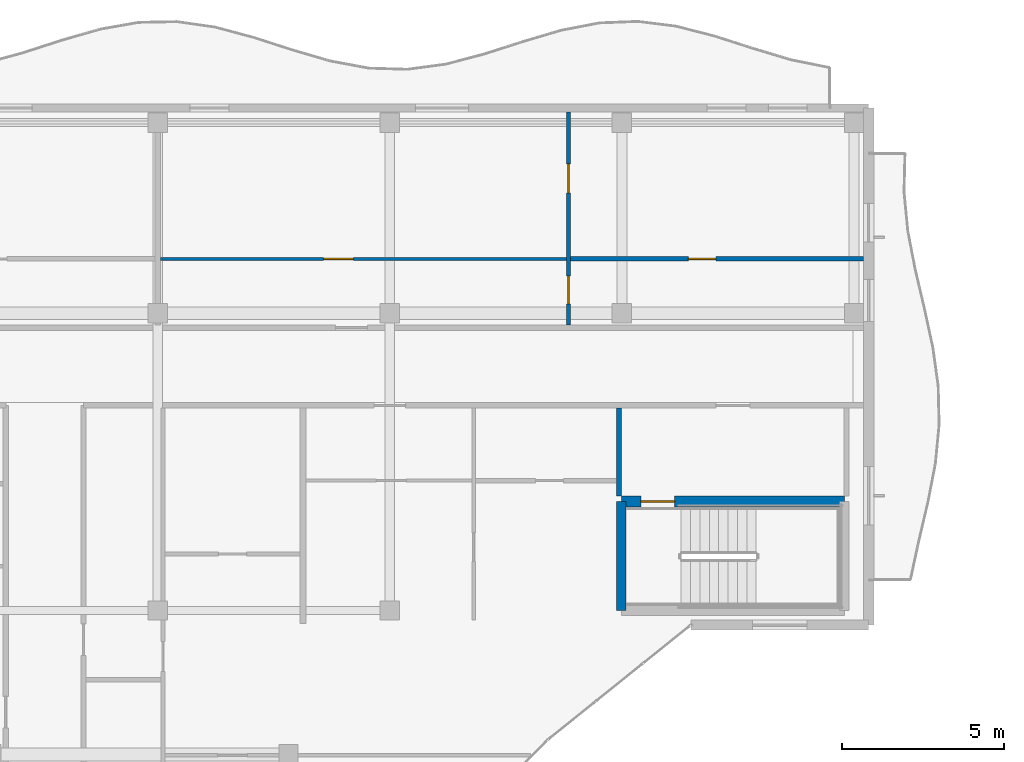
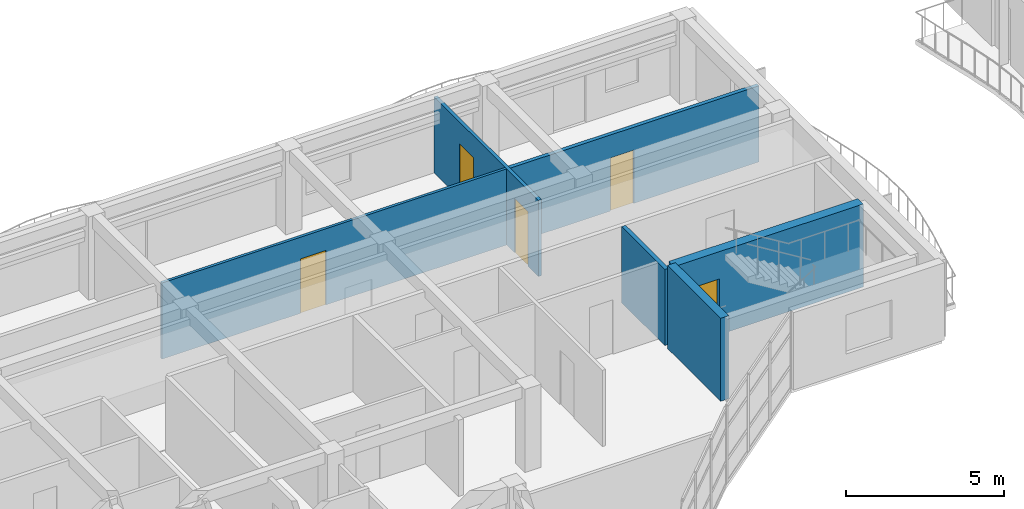
# One storey, part 41 of 71: 6 walls, 5 doors, 5 openings.
"""IFC4 building model written with IfcOpenShell, lengths in metres."""

import ifcopenshell
import ifcopenshell.guid

model = None  # the IFC model being written
_history = None  # IfcOwnerHistory: only IFC2X3 demands one
_inside = {}  # id of a spatial element -> (the spatial element, [elements in it])
_under = {}  # id of a project, library or spatial element -> (it, [spatial elements below it])
_declared = {}  # id of a project -> (the project, [libraries it declares])
_typed = {}  # id of a type object -> (the type object, [elements of that type])
_made_of = {}  # id of a material, layer set ... -> (it, [elements and type objects made of it])


def new_model(schema):
    """Start an empty IFC model of exactly this schema.

    Asked for "IFC4X3", IfcOpenShell would pick the latest addendum, in which some entities
    have other attributes; the version numbers below select the first issue.
    IFC2X3 requires an IfcOwnerHistory on every rooted entity: one is made here for all.
    """
    global model, _history
    if schema == "IFC4X3":
        model = ifcopenshell.file(schema_version=(4, 3, 0, 0))
    else:
        model = ifcopenshell.file(schema=schema)
    _inside.clear()
    _under.clear()
    _declared.clear()
    _typed.clear()
    _made_of.clear()
    _history = None
    if model.schema == "IFC2X3":
        org = make("IfcOrganization", Name="unknown")
        user = make(
            "IfcPersonAndOrganization",
            ThePerson=make("IfcPerson", FamilyName="unknown"),
            TheOrganization=org,
        )
        app = make(
            "IfcApplication",
            ApplicationDeveloper=org,
            Version="unknown",
            ApplicationFullName="unknown",
            ApplicationIdentifier="unknown",
        )
        _history = make(
            "IfcOwnerHistory",
            OwningUser=user,
            OwningApplication=app,
            ChangeAction="ADDED",
            CreationDate=0,
        )
    return model


def make(cls, **values):
    """One entity of the class cls with the attributes given. An attribute that is None is left unset."""
    return model.create_entity(
        cls, **{name: value for name, value in values.items() if value is not None}
    )


def rooted(cls, **values):
    """An entity with a GlobalId (a new one), such as an element, a storey or a relation."""
    return make(cls, GlobalId=ifcopenshell.guid.new(), OwnerHistory=_history, **values)


def si_unit(unit_type, name, prefix=None):
    """IfcSIUnit, for example si_unit("LENGTHUNIT", "METRE", prefix="MILLI")."""
    return make("IfcSIUnit", UnitType=unit_type, Prefix=prefix, Name=name)


def assignment(units):
    """IfcUnitAssignment: the units of a project."""
    return None if units is None else make("IfcUnitAssignment", Units=units)


def point(xyz):
    """IfcCartesianPoint."""
    return None if xyz is None else make("IfcCartesianPoint", Coordinates=xyz)


def direction(xyz):
    """IfcDirection."""
    return None if xyz is None else make("IfcDirection", DirectionRatios=xyz)


def frame(location, z_axis=None, x_axis=None):
    """IfcAxis2Placement3D, a coordinate frame: its origin and axes. An axis left out is left unset."""
    return make(
        "IfcAxis2Placement3D",
        Location=point(location),
        Axis=direction(z_axis),
        RefDirection=direction(x_axis),
    )


def frame_2d(location, x_axis=None):
    """IfcAxis2Placement2D, a coordinate frame in the plane: its origin and x axis."""
    return make(
        "IfcAxis2Placement2D", Location=point(location), RefDirection=direction(x_axis)
    )


def origin():
    """The frame at (0, 0, 0) with its axes left unset."""
    return frame((0.0, 0.0, 0.0))


def place(relative_to, where):
    """IfcLocalPlacement: puts the frame where relative to a parent placement (None: the world)."""
    return make(
        "IfcLocalPlacement", PlacementRelTo=relative_to, RelativePlacement=where
    )


def context(
    kind, dimensions, precision=None, world=None, true_north=None, identifier=None
):
    """IfcGeometricRepresentationContext, for example the 3D "Model" context."""
    return make(
        "IfcGeometricRepresentationContext",
        ContextIdentifier=identifier,
        ContextType=kind,
        CoordinateSpaceDimension=dimensions,
        Precision=precision,
        WorldCoordinateSystem=world,
        TrueNorth=true_north,
    )


def subcontext(parent, identifier, kind, view, scale=None):
    """IfcGeometricRepresentationSubContext, for example "Body" below "Model"."""
    return make(
        "IfcGeometricRepresentationSubContext",
        ContextIdentifier=identifier,
        ContextType=kind,
        ParentContext=parent,
        TargetScale=scale,
        TargetView=view,
    )


def project(units=None, contexts=None):
    """IfcProject with its units and contexts."""
    return rooted(
        "IfcProject",
        Name="project",
        RepresentationContexts=contexts,
        UnitsInContext=assignment(units),
    )


def spatial(cls, under=None, at=None, **own):
    """A site, building, storey or space (cls), placed at a placement, below another one or the project."""
    s = rooted(cls, ObjectPlacement=at, **own)
    if under is not None:
        _under.setdefault(under.id(), (under, []))[1].append(s)
    return s


def profile(cls, at=None, kind="AREA", **sizes):
    """A parametric profile (cls). Its sizes go by their IFC names, for example OverallWidth=200.0."""
    return make(cls, ProfileType=kind, Position=at, **sizes)


def rectangle(**sizes):
    """IfcRectangleProfileDef."""
    return profile("IfcRectangleProfileDef", **sizes)


def extrude(swept, where, along, depth):
    """IfcExtrudedAreaSolid: the profile swept, set in the frame where, extruded along a direction by depth."""
    return make(
        "IfcExtrudedAreaSolid",
        SweptArea=swept,
        Position=where,
        ExtrudedDirection=direction(along),
        Depth=depth,
    )


def shape(context_of_items, identifier, shape_type, items):
    """IfcShapeRepresentation: the items that make up one representation, for example the "Body"."""
    return make(
        "IfcShapeRepresentation",
        ContextOfItems=context_of_items,
        RepresentationIdentifier=identifier,
        RepresentationType=shape_type,
        Items=items,
    )


def material(Name=None, Category=None):
    """IfcMaterial."""
    return make("IfcMaterial", Name=Name, Category=Category)


def layer(
    of_material, thickness, ventilated=None, Name=None, Category=None, Priority=None
):
    """IfcMaterialLayer: one layer of a wall or slab, of a material (None: an air gap)."""
    return make(
        "IfcMaterialLayer",
        Material=of_material,
        LayerThickness=thickness,
        IsVentilated=ventilated,
        Name=Name,
        Category=Category,
        Priority=Priority,
    )


def layer_set(layers, Name=None):
    """IfcMaterialLayerSet."""
    return make("IfcMaterialLayerSet", MaterialLayers=layers, LayerSetName=Name)


def made_of(thing, what):
    """Note that an element or type object is made of a material, layer set ...; save() writes the relation."""
    if what is not None:
        _made_of.setdefault(what.id(), (what, []))[1].append(thing)
    return thing


def type_object(cls, material=None, **own):
    """A type object (cls), such as IfcWallType, which elements share."""
    return made_of(rooted(cls, **own), material)


def element(
    cls,
    number,
    at=None,
    inside=None,
    cuts=None,
    type_object=None,
    material=None,
    context=None,
    identifier="Body",
    shape_type=None,
    held_by="IfcProductDefinitionShape",
    body=None,
    shapes=None,
    **own,
):
    """One element of the class cls, such as IfcWall. Its Tag is "e" and its number.

    at: its placement. inside: the storey or other place that contains it. cuts: it is an
    opening in that element (IfcRelVoidsElement). A single representation is given by context,
    identifier, shape_type and body (its items); several are given by shapes. held_by: the class
    of the entity that holds the representations. save() writes the other relations.
    """
    e = rooted(cls, Tag="e%d" % number, ObjectPlacement=at, **own)
    if body is not None:
        shapes = [shape(context, identifier, shape_type, body)]
    if shapes is not None:
        e.Representation = make(held_by, Representations=shapes)
    if inside is not None:
        _inside.setdefault(inside.id(), (inside, []))[1].append(e)
    if cuts is not None:
        rooted(
            "IfcRelVoidsElement", RelatingBuildingElement=cuts, RelatedOpeningElement=e
        )
    if type_object is not None:
        _typed.setdefault(type_object.id(), (type_object, []))[1].append(e)
    return made_of(e, material)


def fill(opening, filler):
    """IfcRelFillsElement: the door or window that sits in an opening."""
    return rooted(
        "IfcRelFillsElement",
        RelatingOpeningElement=opening,
        RelatedBuildingElement=filler,
    )


def aggregate(whole, parts):
    """IfcRelAggregates: a whole, such as a stair, and the parts it consists of."""
    return rooted("IfcRelAggregates", RelatingObject=whole, RelatedObjects=parts)


def save(model, path):
    """Write the relations noted so far, then the file.

    IfcRelAggregates (storeys below a building ...), IfcRelContainedInSpatialStructure (elements
    in a storey), IfcRelDefinesByType, IfcRelAssociatesMaterial and IfcRelDeclares: one each for
    every whole, place, type object, material and project.
    """
    for whole, parts in _under.values():
        aggregate(whole, parts)
    for where, things in _inside.values():
        rooted(
            "IfcRelContainedInSpatialStructure",
            RelatedElements=things,
            RelatingStructure=where,
        )
    for kind, things in _typed.values():
        rooted("IfcRelDefinesByType", RelatedObjects=things, RelatingType=kind)
    for what, things in _made_of.values():
        rooted("IfcRelAssociatesMaterial", RelatedObjects=things, RelatingMaterial=what)
    for by, libraries in _declared.values():
        rooted("IfcRelDeclares", RelatingContext=by, RelatedDefinitions=libraries)
    model.write(path)


model = new_model("IFC4")

# Units and contexts
model_context = context("Model", 3, precision=1e-05, world=origin(), true_north=direction((0.0, 1.0)))
body_context = subcontext(model_context, "Body", "Model", "MODEL_VIEW")
ifc_project = project(units=[si_unit("LENGTHUNIT", "METRE"), si_unit("AREAUNIT", "SQUARE_METRE"), si_unit("VOLUMEUNIT", "CUBIC_METRE"), si_unit("PLANEANGLEUNIT", "RADIAN"), si_unit("MASSUNIT", "GRAM", prefix="KILO")], contexts=[model_context])

# Site, building, storey
site_placement = place(None, origin())
site = spatial("IfcSite", under=ifc_project, at=site_placement, CompositionType="ELEMENT")
building_placement = place(site_placement, origin())
building = spatial("IfcBuilding", under=site, at=building_placement, Name="Keldmere Railside Commons", CompositionType="ELEMENT")
storey_placement = place(building_placement, frame((0.0, 0.0, 20.159912109375)))
storey = spatial("IfcBuildingStorey", under=building, at=storey_placement, Name="L06", CompositionType="ELEMENT", Elevation=20.159912109375)

# Wall, openings, doors
ifc_material_1 = material(Name="Acoustic Gypsum Board Partition", Category="gypsum")
ifc_layer_1 = layer(ifc_material_1, 0.1201171875, Name="Apartment Interior Partition 120")
ifc_layer_set_1 = layer_set([ifc_layer_1], Name="Acoustic Gypsum Board Partition")
wall_type_1 = type_object("IfcWallType", Name="Apartment Interior Partition 120", PredefinedType="PARTITIONING", material=ifc_layer_set_1)
wall_1_placement = place(storey_placement, frame((128.2099609375, 109.280029296875, 0.0), z_axis=(0.0, 0.0, 1.0), x_axis=(0.0, 1.0, 0.0)))
wall_1 = element("IfcWall", 1, at=wall_1_placement, inside=storey, type_object=wall_type_1, Name="IW-4 IW-L06-1173", PredefinedType="PARTITIONING", context=body_context, shape_type="SweptSolid", body=[
    extrude(rectangle(XDim=6.590087890625, YDim=0.1201171875, at=frame_2d((3.294921875, 0.0))), origin(), (0.0, 0.0, 1.0), 2.93505859375),
])
opening_1_placement = place(wall_1_placement, frame((0.656005859375, 0.0, 0.0)))
opening_1 = element("IfcOpeningElement", 2, at=opening_1_placement, cuts=wall_1, Name="Opening ID-04", PredefinedType="OPENING", context=body_context, shape_type="SweptSolid", body=[
    extrude(rectangle(XDim=0.860107421875, YDim=2.10009765625, at=frame_2d((0.43017578125, 1.050048828125))), frame((0.0, 0.070068359375, 0.0), z_axis=(0.0, -1.0, 0.0), x_axis=(1.0, 0.0, 0.0)), (0.0, 0.0, 1.0), 0.14013671875),
])
opening_2_placement = place(wall_1_placement, frame((4.093017578125, 0.0, 0.0)))
opening_2 = element("IfcOpeningElement", 3, at=opening_2_placement, cuts=wall_1, Name="Opening ID-01", PredefinedType="OPENING", context=body_context, shape_type="SweptSolid", body=[
    extrude(rectangle(XDim=0.89990234375, YDim=2.10009765625, at=frame_2d((0.449951171875, 1.050048828125))), frame((0.0, 0.070068359375, 0.0), z_axis=(0.0, -1.0, 0.0), x_axis=(1.0, 0.0, 0.0)), (0.0, 0.0, 1.0), 0.14013671875),
])
ifc_material_2 = material(Name="Engineered Oak Timber", Category="wood")
door_type_1 = type_object("IfcDoorType", Name="Apartment Bathroom Door 860x2100", OperationType="NOTDEFINED", PredefinedType="DOOR", material=ifc_material_2)
door_1_placement = place(opening_1_placement, origin())
door_1 = element("IfcDoor", 4, at=door_1_placement, inside=storey, type_object=door_type_1, Name="ID-04 IDR-L06-1040", OperationType="SINGLE_SWING_RIGHT", OverallHeight=2.10009765625, OverallWidth=0.860107421875, PredefinedType="DOOR", context=body_context, shape_type="SweptSolid", body=[
    extrude(rectangle(XDim=0.860107421875, YDim=2.10009765625, at=frame_2d((0.43017578125, 1.050048828125))), frame((0.0, 0.02490234375, 0.0), z_axis=(0.0, -1.0, 0.0), x_axis=(1.0, 0.0, 0.0)), (0.0, 0.0, 1.0), 0.050048828125),
])
fill(opening_1, door_1)
door_type_2 = type_object("IfcDoorType", Name="Primary Bedroom Door 900x2100", OperationType="NOTDEFINED", PredefinedType="DOOR", material=ifc_material_2)
door_2_placement = place(opening_2_placement, origin())
door_2 = element("IfcDoor", 5, at=door_2_placement, inside=storey, type_object=door_type_2, Name="ID-01 IDR-L06-1041", OperationType="SINGLE_SWING_LEFT", OverallHeight=2.10009765625, OverallWidth=0.89990234375, PredefinedType="DOOR", context=body_context, shape_type="SweptSolid", body=[
    extrude(rectangle(XDim=0.89990234375, YDim=2.10009765625, at=frame_2d((0.449951171875, 1.050048828125))), frame((0.0, 0.02490234375, 0.0), z_axis=(0.0, -1.0, 0.0), x_axis=(1.0, 0.0, 0.0)), (0.0, 0.0, 1.0), 0.050048828125),
])
fill(opening_2, door_2)

# Wall, opening, door
ifc_layer_2 = layer(ifc_material_1, 0.10009765625, Name="Closet Light Partition 100")
ifc_layer_set_2 = layer_set([ifc_layer_2], Name="Acoustic Gypsum Board Partition")
wall_type_2 = type_object("IfcWallType", Name="Closet Light Partition 100", PredefinedType="PARTITIONING", material=ifc_layer_set_2)
wall_2_placement = place(storey_placement, frame((115.590087890625, 111.330078125, 0.0), z_axis=(0.0, 0.0, 1.0), x_axis=(1.0, 0.0, 0.0)))
wall_2 = element("IfcWall", 6, at=wall_2_placement, inside=storey, type_object=wall_type_2, Name="IW-6 IW-L06-1175", PredefinedType="PARTITIONING", context=body_context, shape_type="SweptSolid", body=[
    extrude(rectangle(XDim=12.559814453125, YDim=0.10009765625, at=frame_2d((6.27978515625, 0.0))), origin(), (0.0, 0.0, 1.0), 2.93505859375),
])
opening_3_placement = place(wall_2_placement, frame((5.048095703125, 0.0, 0.0)))
opening_3 = element("IfcOpeningElement", 7, at=opening_3_placement, cuts=wall_2, Name="Opening ID-03", PredefinedType="OPENING", context=body_context, shape_type="SweptSolid", body=[
    extrude(rectangle(XDim=0.919921875, YDim=2.10009765625, at=frame_2d((0.4599609375, 1.050048828125))), frame((0.0, 0.06005859375, 0.0), z_axis=(0.0, -1.0, 0.0), x_axis=(1.0, 0.0, 0.0)), (0.0, 0.0, 1.0), 0.1201171875),
])
door_type_3 = type_object("IfcDoorType", Name="Kitchen Pocket-Frame Swing Door 920x2100", OperationType="NOTDEFINED", PredefinedType="DOOR", material=ifc_material_2)
door_3_placement = place(opening_3_placement, origin())
door_3 = element("IfcDoor", 8, at=door_3_placement, inside=storey, type_object=door_type_3, Name="ID-03 IDR-L06-1039", OperationType="SINGLE_SWING_LEFT", OverallHeight=2.10009765625, OverallWidth=0.919921875, PredefinedType="DOOR", context=body_context, shape_type="SweptSolid", body=[
    extrude(rectangle(XDim=0.919921875, YDim=2.10009765625, at=frame_2d((0.4599609375, 1.050048828125))), frame((0.0, 0.02490234375, 0.0), z_axis=(0.0, -1.0, 0.0), x_axis=(1.0, 0.0, 0.0)), (0.0, 0.0, 1.0), 0.050048828125),
])
fill(opening_3, door_3)

# Wall
ifc_material_3 = material(Name="Concrete H-35 (C35/45)", Category="concrete")
ifc_layer_3 = layer(ifc_material_3, 0.300048828125, Name="Interior Shear Wall 300")
ifc_layer_set_3 = layer_set([ifc_layer_3], Name="Concrete H-35 (C35/45)")
wall_type_3 = type_object("IfcWallType", Name="Interior Shear Wall 300", PredefinedType="SHEAR", material=ifc_layer_set_3)
wall_3_placement = place(storey_placement, frame((129.85009765625, 103.820068359375, 0.0), z_axis=(0.0, 0.0, 1.0), x_axis=(0.0, -1.0, 0.0)))
element("IfcWall", 9, at=wall_3_placement, inside=storey, type_object=wall_type_3, Name="ISW-2 COREB2W-L06-0514", PredefinedType="SHEAR", context=body_context, shape_type="SweptSolid", body=[
    extrude(rectangle(XDim=3.3701171875, YDim=0.300048828125, at=frame_2d((1.68505859375, 0.0))), origin(), (0.0, 0.0, 1.0), 3.2001953125),
])

# Wall, opening, door
ifc_layer_4 = layer(ifc_material_3, 0.340087890625, Name="Interior Shear Wall 340")
ifc_layer_set_4 = layer_set([ifc_layer_4], Name="Concrete H-35 (C35/45)")
wall_type_4 = type_object("IfcWallType", Name="Interior Shear Wall 340", PredefinedType="SHEAR", material=ifc_layer_set_4)
wall_4_placement = place(storey_placement, frame((136.75, 103.820068359375, 0.0), z_axis=(0.0, 0.0, 1.0), x_axis=(-1.0, 0.0, 0.0)))
wall_4 = element("IfcWall", 10, at=wall_4_placement, inside=storey, type_object=wall_type_4, Name="ISW-1 COREB2N-L06-0513", PredefinedType="SHEAR", context=body_context, shape_type="SweptSolid", body=[
    extrude(rectangle(XDim=6.89990234375, YDim=0.340087890625, at=frame_2d((3.449951171875, 0.0))), origin(), (0.0, 0.0, 1.0), 3.2001953125),
])
opening_4_placement = place(wall_4_placement, frame((5.25, 0.0, 0.0)))
opening_4 = element("IfcOpeningElement", 11, at=opening_4_placement, cuts=wall_4, Name="Opening FD-1", PredefinedType="OPENING", context=body_context, shape_type="SweptSolid", body=[
    extrude(rectangle(XDim=1.050048828125, YDim=2.14990234375, at=frame_2d((0.52490234375, 1.074951171875))), frame((0.0, 0.179931640625, 0.0), z_axis=(0.0, -1.0, 0.0), x_axis=(1.0, 0.0, 0.0)), (0.0, 0.0, 1.0), 0.360107421875),
])
ifc_material_4 = material(Name="Steel F-24 (S235)", Category="steel")
door_type_4 = type_object("IfcDoorType", Name="Stair Core Fire Door 1050x2150", OperationType="NOTDEFINED", PredefinedType="DOOR", material=ifc_material_4)
door_4_placement = place(opening_4_placement, origin())
door_4 = element("IfcDoor", 12, at=door_4_placement, inside=storey, type_object=door_type_4, Name="FD-1 B2 L06", OperationType="SINGLE_SWING_RIGHT", OverallHeight=2.14990234375, OverallWidth=1.050048828125, PredefinedType="DOOR", context=body_context, shape_type="SweptSolid", body=[
    extrude(rectangle(XDim=1.050048828125, YDim=2.14990234375, at=frame_2d((0.52490234375, 1.074951171875))), frame((0.0, 0.02490234375, 0.0), z_axis=(0.0, -1.0, 0.0), x_axis=(1.0, 0.0, 0.0)), (0.0, 0.0, 1.0), 0.050048828125),
])
fill(opening_4, door_4)

# Wall
ifc_layer_5 = layer(ifc_material_1, 0.14990234375, Name="Lobby Rated Partition 150")
ifc_layer_set_5 = layer_set([ifc_layer_5], Name="Acoustic Gypsum Board Partition")
wall_type_5 = type_object("IfcWallType", Name="Lobby Rated Partition 150", PredefinedType="PARTITIONING", material=ifc_layer_set_5)
wall_5_placement = place(storey_placement, frame((129.780029296875, 103.989990234375, 0.0), z_axis=(0.0, 0.0, 1.0), x_axis=(0.0, 1.0, 0.0)))
element("IfcWall", 13, at=wall_5_placement, inside=storey, type_object=wall_type_5, Name="IW-3 IW-L06-1150", PredefinedType="PARTITIONING", context=body_context, shape_type="SweptSolid", body=[
    extrude(rectangle(XDim=2.72998046875, YDim=0.14990234375, at=frame_2d((1.364990234375, 0.0))), origin(), (0.0, 0.0, 1.0), 2.93505859375),
])

# Wall, opening, door
ifc_layer_6 = layer(ifc_material_1, 0.139892578125, Name="Wet-Room Sanitary Partition 140")
ifc_layer_set_6 = layer_set([ifc_layer_6], Name="Acoustic Gypsum Board Partition")
wall_type_6 = type_object("IfcWallType", Name="Wet-Room Sanitary Partition 140", PredefinedType="PARTITIONING", material=ifc_layer_set_6)
wall_6_placement = place(storey_placement, frame((128.27001953125, 111.330078125, 0.0), z_axis=(0.0, 0.0, 1.0), x_axis=(1.0, 0.0, 0.0)))
wall_6 = element("IfcWall", 14, at=wall_6_placement, inside=storey, type_object=wall_type_6, Name="IW-5 IW-L06-1174", PredefinedType="PARTITIONING", context=body_context, shape_type="SweptSolid", body=[
    extrude(rectangle(XDim=9.070068359375, YDim=0.139892578125, at=frame_2d((4.53515625, 0.0))), origin(), (0.0, 0.0, 1.0), 2.93505859375),
])
opening_5_placement = place(wall_6_placement, frame((3.652099609375, 0.0, 0.0)))
opening_5 = element("IfcOpeningElement", 15, at=opening_5_placement, cuts=wall_6, Name="Opening ID-06", PredefinedType="OPENING", context=body_context, shape_type="SweptSolid", body=[
    extrude(rectangle(XDim=0.85009765625, YDim=2.050048828125, at=frame_2d((0.425048828125, 1.02490234375))), frame((0.0, 0.079833984375, 0.0), z_axis=(0.0, -1.0, 0.0), x_axis=(1.0, 0.0, 0.0)), (0.0, 0.0, 1.0), 0.159912109375),
])
door_type_5 = type_object("IfcDoorType", Name="Storage Closet Door 850x2050", OperationType="NOTDEFINED", PredefinedType="DOOR", material=ifc_material_2)
door_5_placement = place(opening_5_placement, origin())
door_5 = element("IfcDoor", 16, at=door_5_placement, inside=storey, type_object=door_type_5, Name="ID-06 IDR-L06-1042", OperationType="SINGLE_SWING_RIGHT", OverallHeight=2.050048828125, OverallWidth=0.85009765625, PredefinedType="DOOR", context=body_context, shape_type="SweptSolid", body=[
    extrude(rectangle(XDim=0.85009765625, YDim=2.050048828125, at=frame_2d((0.425048828125, 1.02490234375))), frame((0.0, 0.02490234375, 0.0), z_axis=(0.0, -1.0, 0.0), x_axis=(1.0, 0.0, 0.0)), (0.0, 0.0, 1.0), 0.050048828125),
])
fill(opening_5, door_5)

save(model, "model.ifc")
